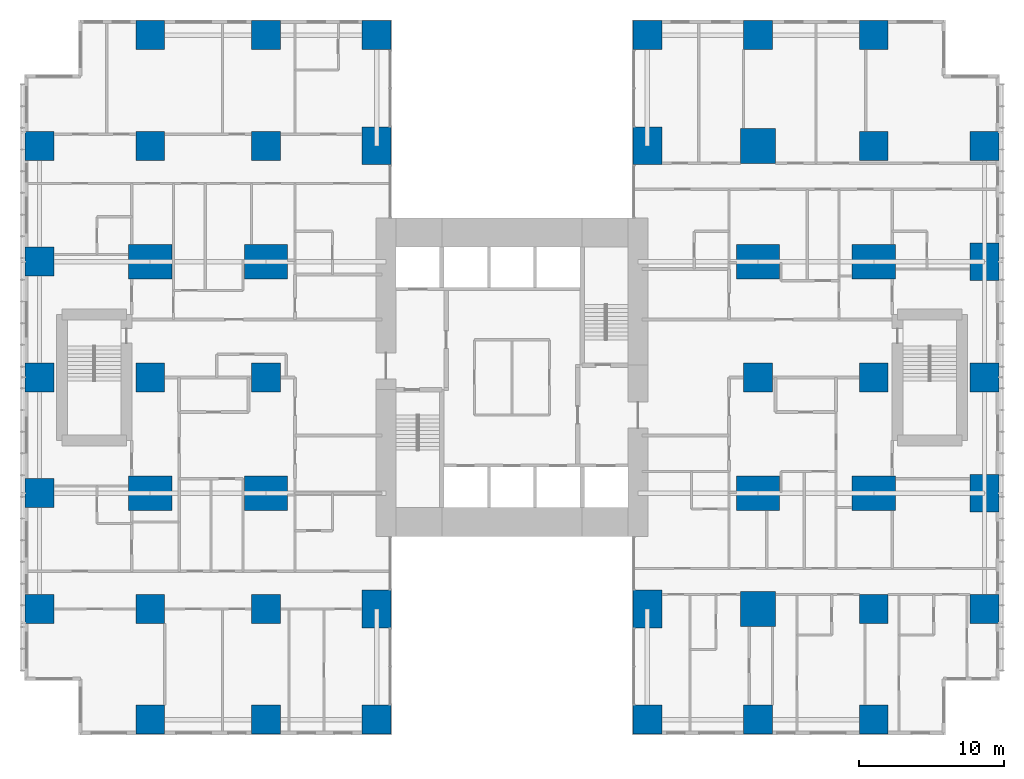
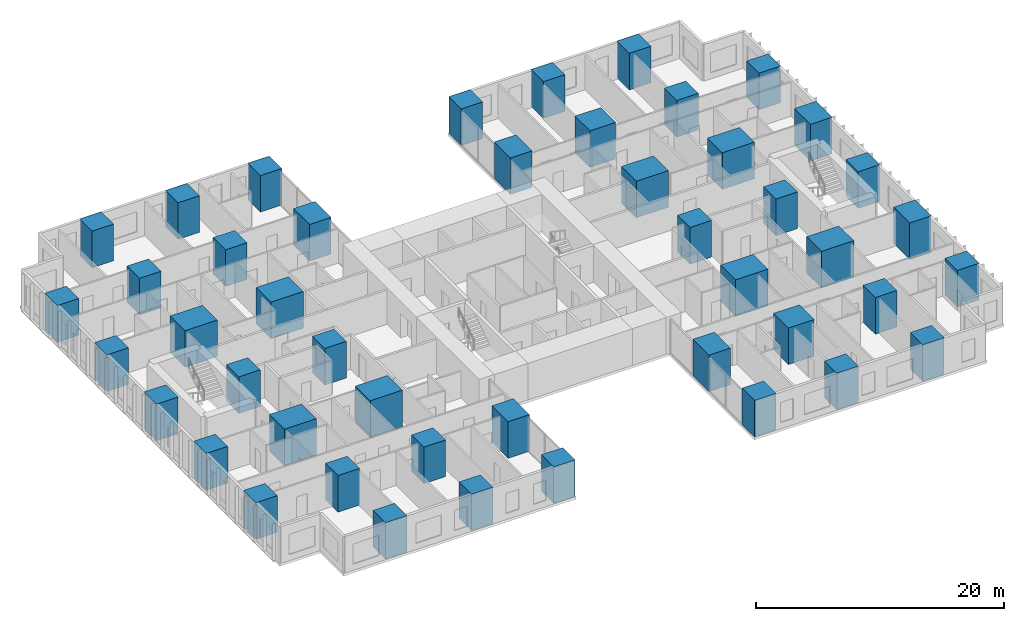
# One storey, part 1 of 20: 46 columns.
"""IFC4 building model written with IfcOpenShell, lengths in metres."""

from ifc_helpers import new_model, si_unit, direction, frame, origin, origin_2d, place, context, subcontext, project, spatial, rectangle, extrude, material, material_profile, profile_set, type_object, element, save


model = new_model("IFC4")

# Units and contexts
model_context = context("Model", 3, precision=1e-05, world=origin(), true_north=direction((0.0, 1.0)))
body_context = subcontext(model_context, "Body", "Model", "MODEL_VIEW")
ifc_project = project(units=[si_unit("LENGTHUNIT", "METRE"), si_unit("AREAUNIT", "SQUARE_METRE"), si_unit("VOLUMEUNIT", "CUBIC_METRE"), si_unit("PLANEANGLEUNIT", "RADIAN"), si_unit("MASSUNIT", "GRAM", prefix="KILO")], contexts=[model_context])

# Site, building, storey
site_placement = place(None, origin())
site = spatial("IfcSite", under=ifc_project, at=site_placement, CompositionType="ELEMENT")
building_placement = place(site_placement, origin())
building = spatial("IfcBuilding", under=site, at=building_placement, Name="Cleftline Residences", CompositionType="ELEMENT")
storey_placement = place(building_placement, frame((0.0, 0.0, 54.800048828125)))
storey = spatial("IfcBuildingStorey", under=building, at=storey_placement, Name="L13", CompositionType="ELEMENT", Elevation=54.800048828125)

# Columns
ifc_material_1 = material(Name="Concrete B70", Category="concrete")
ifc_material_profile_1 = material_profile(ifc_material_1, rectangle(XDim=2.0, YDim=2.0, at=origin_2d()))
ifc_profile_set_1 = profile_set([ifc_material_profile_1], Name="Concrete B70")
column_type_1 = type_object("IfcColumnType", Name="COLUMN RC2000X2000", PredefinedType="COLUMN", material=ifc_profile_set_1)
for number, where, z_axis, x_axis, name in (
    (1, (0.35009765625, 8.0, 0.0), (0.0, 0.0, 1.0), (1.0, 0.0, 0.0), "Column D/3"),
    (2, (0.35009765625, 16.0, 0.0), (0.0, 0.0, 1.0), (1.0, 0.0, 0.0), "Column E/3"),
    (3, (0.35009765625, 24.0, 0.0), (0.0, 0.0, 1.0), (1.0, 0.0, 0.0), "Column F/3"),
    (4, (0.35009765625, 32.0, 0.0), (0.0, 0.0, 1.0), (1.0, 0.0, 0.0), "Column G/3"),
    (5, (0.35009765625, 40.0, 0.0), (0.0, 0.0, 1.0), (1.0, 0.0, 0.0), "Column H/3"),
    (6, (8.0, 0.35009765625, 0.0), (0.0, 0.0, 1.0), (1.0, 0.0, 0.0), "Column C/4"),
    (7, (8.0, 8.0, 0.0), (0.0, 0.0, 1.0), (1.0, 0.0, 0.0), "Column D/4"),
    (8, (8.0, 24.0, 0.0), (0.0, 0.0, 1.0), (1.0, 0.0, 0.0), "Column F/4"),
    (9, (8.0, 40.0, 0.0), (0.0, 0.0, 1.0), (1.0, 0.0, 0.0), "Column H/4"),
    (10, (8.0, 47.64990234375, 0.0), (0.0, 0.0, 1.0), (1.0, 0.0, 0.0), "Column J/4"),
    (11, (16.0, 0.35009765625, 0.0), (0.0, 0.0, 1.0), (1.0, 0.0, 0.0), "Column C/5"),
    (12, (16.0, 8.0, 0.0), (0.0, 0.0, 1.0), (1.0, 0.0, 0.0), "Column D/5"),
    (13, (16.0, 24.0, 0.0), (0.0, 0.0, 1.0), (1.0, 0.0, 0.0), "Column F/5"),
    (14, (16.0, 40.0, 0.0), (0.0, 0.0, 1.0), (1.0, 0.0, 0.0), "Column H/5"),
    (15, (16.0, 47.64990234375, 0.0), (0.0, 0.0, 1.0), (1.0, 0.0, 0.0), "Column J/5"),
    (16, (23.64990234375, 0.35009765625, 0.0), (0.0, 0.0, 1.0), (1.0, 0.0, 0.0), "Column C/6"),
    (17, (23.64990234375, 47.64990234375, 0.0), (0.0, 0.0, 1.0), (1.0, 0.0, 0.0), "Column J/6"),
    (18, (42.35009765625, 0.35009765625, 0.0), (0.0, 0.0, 1.0), (1.0, 0.0, 0.0), "Column C/8"),
    (19, (42.35009765625, 47.64990234375, 0.0), (0.0, 0.0, 1.0), (1.0, 0.0, 0.0), "Column J/8"),
    (20, (50.0, 0.35009765625, 0.0), (0.0, 0.0, 1.0), (1.0, 0.0, 0.0), "Column C/9"),
    (21, (50.0, 24.0, 0.0), (0.0, 0.0, 1.0), (1.0, 0.0, 0.0), "Column F/9"),
    (22, (50.0, 47.64990234375, 0.0), (0.0, 0.0, 1.0), (1.0, 0.0, 0.0), "Column J/9"),
    (23, (58.0, 0.35009765625, 0.0), (0.0, 0.0, 1.0), (1.0, 0.0, 0.0), "Column C/10"),
    (24, (58.0, 8.0, 0.0), (0.0, 0.0, 1.0), (1.0, 0.0, 0.0), "Column D/10"),
    (25, (58.0, 24.0, 0.0), (0.0, 0.0, 1.0), (1.0, 0.0, 0.0), "Column F/10"),
    (26, (58.0, 40.0, 0.0), (0.0, 0.0, 1.0), (1.0, 0.0, 0.0), "Column H/10"),
    (27, (58.0, 47.64990234375, 0.0), (0.0, 0.0, 1.0), (1.0, 0.0, 0.0), "Column J/10"),
    (28, (65.64990234375, 8.0, 0.0), (0.0, 0.0, 1.0), (1.0, 0.0, 0.0), "Column D/11"),
    (29, (65.64990234375, 24.0, 0.0), (0.0, 0.0, 1.0), (1.0, 0.0, 0.0), "Column F/11"),
    (30, (65.64990234375, 40.0, 0.0), (0.0, 0.0, 1.0), (1.0, 0.0, 0.0), "Column H/11"),
):
    element("IfcColumn", number, at=place(storey_placement, frame(where, z_axis=z_axis, x_axis=x_axis)), inside=storey, type_object=column_type_1, Name=name, PredefinedType="COLUMN", context=body_context, shape_type="SweptSolid", body=[
        extrude(rectangle(XDim=2.0, YDim=2.0, at=origin_2d()), origin(), (0.0, 0.0, 1.0), 3.599853515625),
    ])
ifc_material_2 = material(Name="Concrete B70", Category="concrete")
ifc_material_profile_2 = material_profile(ifc_material_2, rectangle(XDim=2.0, YDim=2.60009765625, at=origin_2d()))
ifc_profile_set_2 = profile_set([ifc_material_profile_2], Name="Concrete B70")
column_type_2 = type_object("IfcColumnType", Name="COLUMN RC2000X2600", PredefinedType="COLUMN", material=ifc_profile_set_2)
for number, where, z_axis, x_axis, name in (
    (31, (23.64990234375, 8.0, 0.0), (0.0, 0.0, 1.0), (1.0, 0.0, 0.0), "Column D/6"),
    (32, (23.64990234375, 40.0, 0.0), (0.0, 0.0, 1.0), (1.0, 0.0, 0.0), "Column H/6"),
    (33, (42.35009765625, 8.0, 0.0), (0.0, 0.0, 1.0), (1.0, 0.0, 0.0), "Column D/8"),
    (34, (42.35009765625, 40.0, 0.0), (0.0, 0.0, 1.0), (1.0, 0.0, 0.0), "Column H/8"),
):
    element("IfcColumn", number, at=place(storey_placement, frame(where, z_axis=z_axis, x_axis=x_axis)), inside=storey, type_object=column_type_2, Name=name, PredefinedType="COLUMN", context=body_context, shape_type="SweptSolid", body=[
        extrude(rectangle(XDim=2.0, YDim=2.60009765625, at=origin_2d()), origin(), (0.0, 0.0, 1.0), 3.599853515625),
    ])
ifc_material_3 = material(Name="Concrete B70", Category="concrete")
ifc_material_profile_3 = material_profile(ifc_material_3, rectangle(XDim=2.39990234375, YDim=2.39990234375, at=origin_2d()))
ifc_profile_set_3 = profile_set([ifc_material_profile_3], Name="Concrete B70")
column_type_3 = type_object("IfcColumnType", Name="COLUMN RC2400X2400", PredefinedType="COLUMN", material=ifc_profile_set_3)
for number, where, z_axis, x_axis, name in (
    (35, (50.0, 8.0, 0.0), (0.0, 0.0, 1.0), (1.0, 0.0, 0.0), "Column D/9"),
    (36, (50.0, 40.0, 0.0), (0.0, 0.0, 1.0), (1.0, 0.0, 0.0), "Column H/9"),
):
    element("IfcColumn", number, at=place(storey_placement, frame(where, z_axis=z_axis, x_axis=x_axis)), inside=storey, type_object=column_type_3, Name=name, PredefinedType="COLUMN", context=body_context, shape_type="SweptSolid", body=[
        extrude(rectangle(XDim=2.39990234375, YDim=2.39990234375, at=origin_2d()), origin(), (0.0, 0.0, 1.0), 3.599853515625),
    ])
ifc_material_4 = material(Name="Concrete B70", Category="concrete")
ifc_material_profile_4 = material_profile(ifc_material_4, rectangle(XDim=2.60009765625, YDim=2.0, at=origin_2d()))
ifc_profile_set_4 = profile_set([ifc_material_profile_4], Name="Concrete B70")
column_type_4 = type_object("IfcColumnType", Name="COLUMN RC2600X2000", PredefinedType="COLUMN", material=ifc_profile_set_4)
for number, where, z_axis, x_axis, name in (
    (37, (65.64990234375, 16.0, 0.0), (0.0, 0.0, 1.0), (0.0, 1.0, 0.0), "Column E/11"),
    (38, (65.64990234375, 32.0, 0.0), (0.0, 0.0, 1.0), (0.0, 1.0, 0.0), "Column G/11"),
):
    element("IfcColumn", number, at=place(storey_placement, frame(where, z_axis=z_axis, x_axis=x_axis)), inside=storey, type_object=column_type_4, Name=name, PredefinedType="COLUMN", context=body_context, shape_type="SweptSolid", body=[
        extrude(rectangle(XDim=2.60009765625, YDim=2.0, at=origin_2d()), origin(), (0.0, 0.0, 1.0), 3.599853515625),
    ])
ifc_material_5 = material(Name="Concrete B70", Category="concrete")
ifc_material_profile_5 = material_profile(ifc_material_5, rectangle(XDim=3.0, YDim=2.39990234375, at=origin_2d()))
ifc_profile_set_5 = profile_set([ifc_material_profile_5], Name="Concrete B70")
column_type_5 = type_object("IfcColumnType", Name="COLUMN RC3000X2400", PredefinedType="COLUMN", material=ifc_profile_set_5)
for number, where, z_axis, x_axis, name in (
    (39, (8.0, 16.0, 0.0), (0.0, 0.0, 1.0), (1.0, 0.0, 0.0), "Column E/4"),
    (40, (8.0, 32.0, 0.0), (0.0, 0.0, 1.0), (1.0, 0.0, 0.0), "Column G/4"),
    (41, (16.0, 16.0, 0.0), (0.0, 0.0, 1.0), (1.0, 0.0, 0.0), "Column E/5"),
    (42, (16.0, 32.0, 0.0), (0.0, 0.0, 1.0), (1.0, 0.0, 0.0), "Column G/5"),
    (43, (50.0, 16.0, 0.0), (0.0, 0.0, 1.0), (1.0, 0.0, 0.0), "Column E/9"),
    (44, (50.0, 32.0, 0.0), (0.0, 0.0, 1.0), (1.0, 0.0, 0.0), "Column G/9"),
    (45, (58.0, 16.0, 0.0), (0.0, 0.0, 1.0), (1.0, 0.0, 0.0), "Column E/10"),
    (46, (58.0, 32.0, 0.0), (0.0, 0.0, 1.0), (1.0, 0.0, 0.0), "Column G/10"),
):
    element("IfcColumn", number, at=place(storey_placement, frame(where, z_axis=z_axis, x_axis=x_axis)), inside=storey, type_object=column_type_5, Name=name, PredefinedType="COLUMN", context=body_context, shape_type="SweptSolid", body=[
        extrude(rectangle(XDim=3.0, YDim=2.39990234375, at=origin_2d()), origin(), (0.0, 0.0, 1.0), 3.599853515625),
    ])

save(model, "model.ifc")
